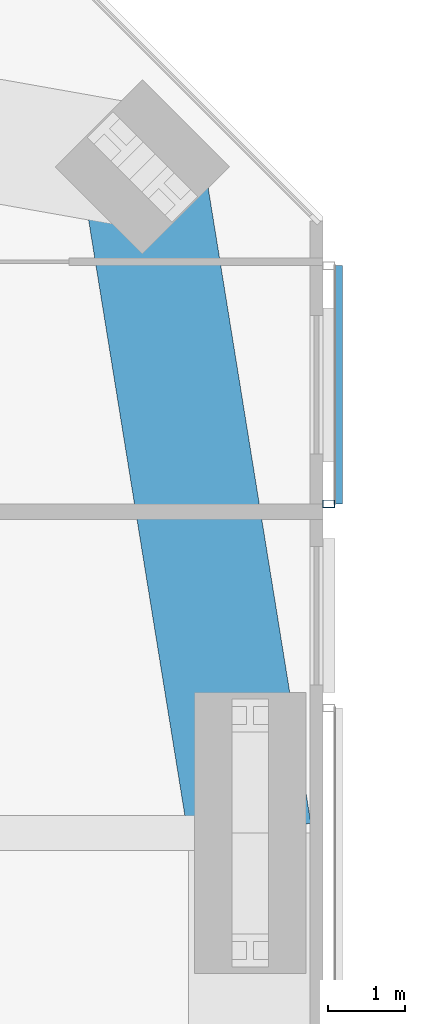
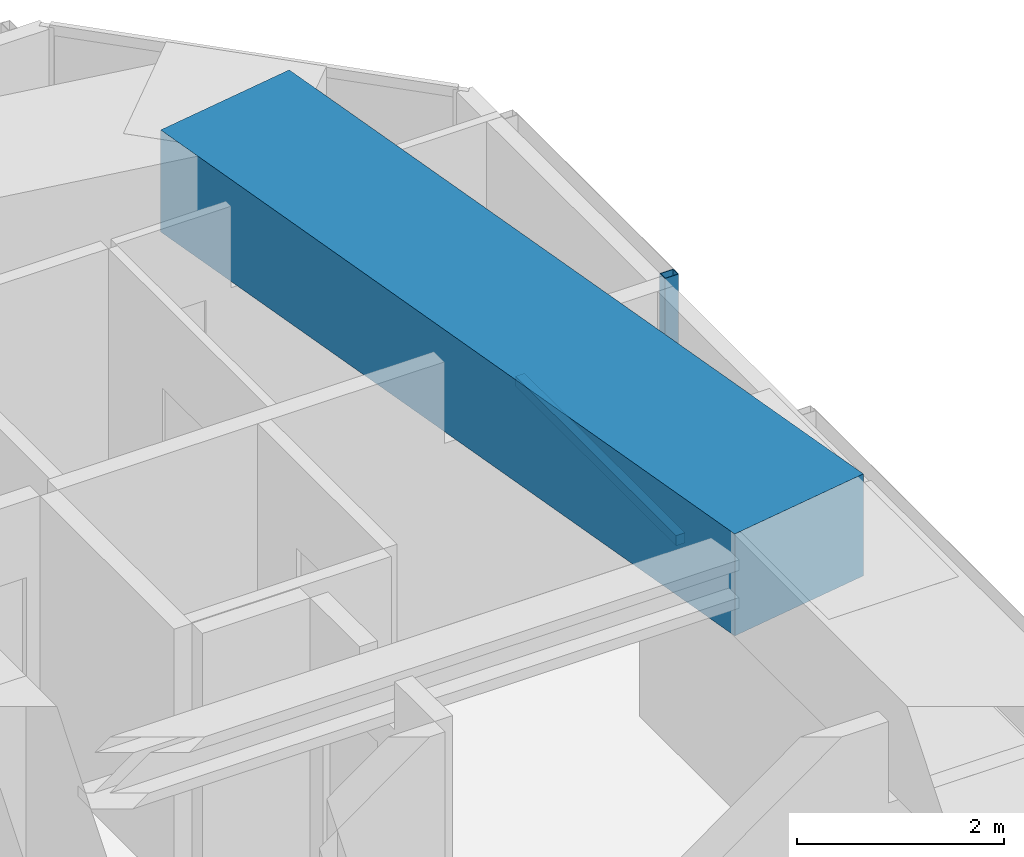
# One storey, part 10 of 23: 2 members, 1 beam, 1 element without a shape of its own.
"""IFC4 building model written with IfcOpenShell, lengths in metres."""

from ifc_helpers import new_model, si_unit, direction, frame, origin, origin_2d, place, context, subcontext, project, spatial, rectangle, hollow_rectangle, extrude, material, material_profile, profile_set, type_object, element, aggregate, save


model = new_model("IFC4")

# Units and contexts
model_context = context("Model", 3, precision=1e-05, world=origin(), true_north=direction((0.0, 1.0)))
body_context = subcontext(model_context, "Body", "Model", "MODEL_VIEW")
ifc_project = project(units=[si_unit("LENGTHUNIT", "METRE"), si_unit("AREAUNIT", "SQUARE_METRE"), si_unit("VOLUMEUNIT", "CUBIC_METRE"), si_unit("PLANEANGLEUNIT", "RADIAN"), si_unit("MASSUNIT", "GRAM", prefix="KILO")], contexts=[model_context])

# Site, building, storey
site_placement = place(None, origin())
site = spatial("IfcSite", under=ifc_project, at=site_placement, CompositionType="ELEMENT")
building_placement = place(site_placement, origin())
building = spatial("IfcBuilding", under=site, at=building_placement, Name="Jalousie Tower", CompositionType="ELEMENT")
storey_placement = place(building_placement, frame((0.0, 0.0, 191.199951171875)))
storey = spatial("IfcBuildingStorey", under=building, at=storey_placement, Name="L52", CompositionType="ELEMENT", Elevation=191.199951171875)

# Beam
ifc_material_1 = material(Name="Concrete f'c 40 MPa", Category="concrete")
ifc_material_profile_1 = material_profile(ifc_material_1, rectangle(XDim=1.60009765625, YDim=1.199951171875, at=origin_2d()), Name="RC 1600x1200")
ifc_profile_set_1 = profile_set([ifc_material_profile_1], Name="Concrete f'c 40 MPa")
beam_type = type_object("IfcBeamType", Name="RC BEAM 1600x1200", PredefinedType="BEAM", material=ifc_profile_set_1)
beam_placement = place(storey_placement, frame((52.050048828125, 25.0, 2.75), z_axis=(-0.159567878256, 0.987186959106, 0.0), x_axis=(-0.987186959106, -0.159567878256, 0.0)))
element("IfcBeam", 1, at=beam_placement, inside=storey, type_object=beam_type, Name="Edge band beam 07-08 under L53", PredefinedType="BEAM", context=body_context, shape_type="SweptSolid", body=[
    extrude(rectangle(XDim=1.60009765625, YDim=1.199951171875, at=origin_2d()), origin(), (0.0, 0.0, 1.0), 8.763916015625),
])

# Curtain wall, members
ifc_material_2 = material(Name="Perforated aluminium sheet", Category="aluminium")
curtain_wall_type = type_object("IfcCurtainWallType", Name="SOLAR SCREEN SS-1", PredefinedType="USERDEFINED", material=ifc_material_2)
curtain_wall_placement = place(storey_placement, origin())
curtain_wall = element("IfcCurtainWall", 2, at=curtain_wall_placement, inside=storey, type_object=curtain_wall_type, Name="Solar screen L52", ObjectType="SOLAR SCREEN SS-1", PredefinedType="USERDEFINED")
ifc_material_3 = material(Name="Steel ASTM A500 Grade C", Category="steel")
ifc_material_profile_2 = material_profile(ifc_material_3, hollow_rectangle(XDim=0.1015625, YDim=0.15234375, WallThickness=0.00634765625, at=origin_2d()), Name="HSS6X4X1/4")
ifc_profile_set_2 = profile_set([ifc_material_profile_2], Name="Steel ASTM A500 Grade C")
member_type_1 = type_object("IfcMemberType", Name="SOLAR SCREEN SS-1 MULLION", PredefinedType="MULLION", material=ifc_profile_set_2)
member_1_placement = place(storey_placement, frame((53.0712890625, 29.27490234375, -0.119873046875), z_axis=(0.0, 0.0, 1.0), x_axis=(0.0, 1.0, 0.0)))
member_1 = element("IfcMember", 3, at=member_1_placement, type_object=member_type_1, Name="SS1 post 1", PredefinedType="MULLION", context=body_context, shape_type="SweptSolid", body=[
    extrude(hollow_rectangle(XDim=0.1015625, YDim=0.15234375, WallThickness=0.00634765625, at=origin_2d()), origin(), (0.0, 0.0, 1.0), 3.22998046875),
])
ifc_material_4 = material(Name="Extruded aluminium screen rail", Category="aluminium")
ifc_material_profile_3 = material_profile(ifc_material_4, rectangle(XDim=0.1015625, YDim=0.1201171875, at=origin_2d()), Name="RAIL 102x120")
ifc_profile_set_3 = profile_set([ifc_material_profile_3], Name="Extruded aluminium screen rail")
member_type_2 = type_object("IfcMemberType", Name="SOLAR SCREEN SS-1 TRANSOM", PredefinedType="USERDEFINED", material=ifc_profile_set_3)
member_2_placement = place(storey_placement, frame((53.1982421875, 29.27490234375, -0.06005859375), z_axis=(0.0, 1.0, 0.0), x_axis=(-1.0, 0.0, 0.0)))
member_2 = element("IfcMember", 4, at=member_2_placement, type_object=member_type_2, Name="SS1 rail", ObjectType="TRANSOM", PredefinedType="USERDEFINED", context=body_context, shape_type="SweptSolid", body=[
    extrude(rectangle(XDim=0.1015625, YDim=0.1201171875, at=origin_2d()), origin(), (0.0, 0.0, 1.0), 3.09521484375),
])
aggregate(curtain_wall, [member_1, member_2])

save(model, "model.ifc")
